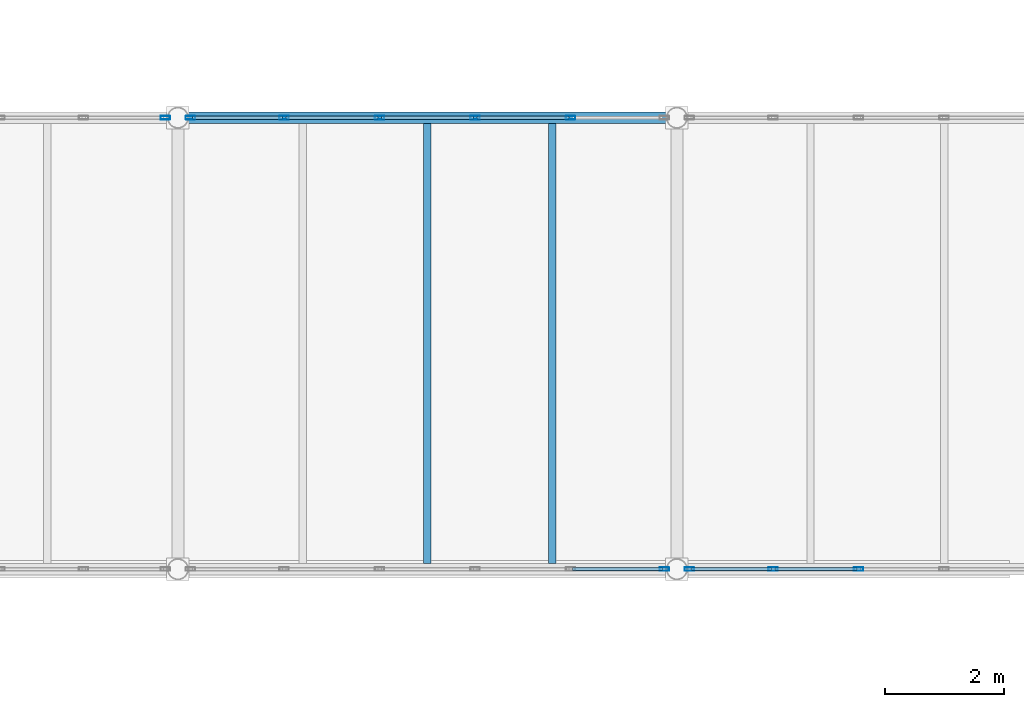
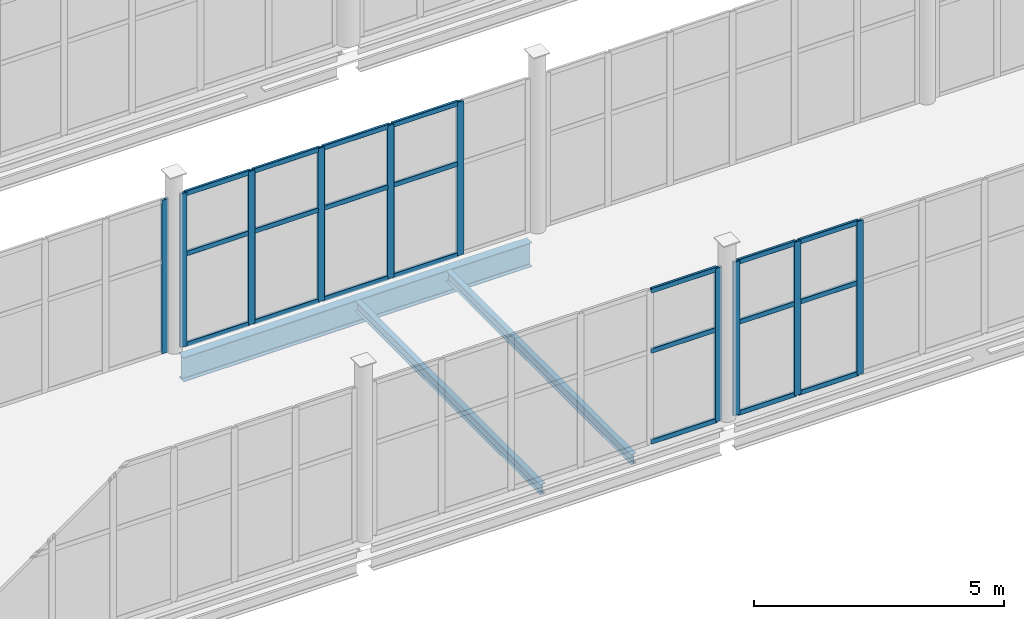
# One storey, part 57 of 172: 31 members, 3 beams, 4 elements without a shape of their own.
"""IFC4 building model written with IfcOpenShell, lengths in metres."""

from ifc_helpers import new_model, si_unit, direction, frame, origin, origin_2d, place, context, subcontext, project, spatial, hollow_rectangle, i_section, extrude, material, material_profile, profile_set, type_object, element, aggregate, save


model = new_model("IFC4")

# Units and contexts
model_context = context("Model", 3, precision=1e-05, world=origin(), true_north=direction((0.0, 1.0)))
body_context = subcontext(model_context, "Body", "Model", "MODEL_VIEW")
ifc_project = project(units=[si_unit("LENGTHUNIT", "METRE"), si_unit("AREAUNIT", "SQUARE_METRE"), si_unit("VOLUMEUNIT", "CUBIC_METRE"), si_unit("PLANEANGLEUNIT", "RADIAN"), si_unit("MASSUNIT", "GRAM", prefix="KILO")], contexts=[model_context])

# Site, building, storey
site_placement = place(None, origin())
site = spatial("IfcSite", under=ifc_project, at=site_placement, CompositionType="ELEMENT")
building_placement = place(site_placement, origin())
building = spatial("IfcBuilding", under=site, at=building_placement, Name="Shengluoqiao Park Theatre", CompositionType="ELEMENT")
storey_placement = place(building_placement, frame((0.0, 0.0, 5.39990234375)))
storey = spatial("IfcBuildingStorey", under=building, at=storey_placement, Name="L01", CompositionType="ELEMENT", Elevation=5.39990234375)

# Curtain wall, member
ifc_material_1 = material(Name="Aluminium 6063-T6", Category="aluminium")
curtain_wall_type = type_object("IfcCurtainWallType", Name="ENV-CW-BRIDGE", PredefinedType="NOTDEFINED", material=ifc_material_1)
curtain_wall_1_placement = place(storey_placement, origin())
curtain_wall_1 = element("IfcCurtainWall", 1, at=curtain_wall_1_placement, inside=storey, type_object=curtain_wall_type, Name="L01 Curtain Wall CWX-L01-0130", PredefinedType="NOTDEFINED")
ifc_material_profile_1 = material_profile(ifc_material_1, hollow_rectangle(XDim=0.06005859375, YDim=0.159912109375, WallThickness=0.00390625, InnerFilletRadius=0.00390625, OuterFilletRadius=0.008056640625, at=origin_2d()), Name="ALU MULLION 160x60x4")
ifc_profile_set_1 = profile_set([ifc_material_profile_1], Name="Aluminium 6063-T6")
member_type_1 = type_object("IfcMemberType", Name="ENV-MUL-160", PredefinedType="MULLION", material=ifc_profile_set_1)
member_1_placement = place(storey_placement, frame((112.18798828125, 53.199951171875, 0.0), z_axis=(0.0, 0.0, 1.0), x_axis=(0.0, 1.0, 0.0)))
member_1 = element("IfcMember", 2, at=member_1_placement, type_object=member_type_1, Name="CW-03 mullion 6", PredefinedType="MULLION", context=body_context, shape_type="SweptSolid", body=[
    extrude(hollow_rectangle(XDim=0.06005859375, YDim=0.159912109375, WallThickness=0.00390625, InnerFilletRadius=0.00390625, OuterFilletRadius=0.008056640625, at=origin_2d()), origin(), (0.0, 0.0, 1.0), 3.752197265625),
])

# Curtain wall, members
curtain_wall_2_placement = place(storey_placement, origin())
curtain_wall_2 = element("IfcCurtainWall", 3, at=curtain_wall_2_placement, inside=storey, type_object=curtain_wall_type, Name="L01 Curtain Wall CWX-L01-0131", PredefinedType="NOTDEFINED")
member_2_placement = place(storey_placement, frame((112.612060546875, 53.199951171875, 0.0), z_axis=(0.0, 0.0, 1.0), x_axis=(0.0, 1.0, 0.0)))
member_2 = element("IfcMember", 4, at=member_2_placement, type_object=member_type_1, Name="CW-03 mullion 1", PredefinedType="MULLION", context=body_context, shape_type="SweptSolid", body=[
    extrude(hollow_rectangle(XDim=0.06005859375, YDim=0.159912109375, WallThickness=0.00390625, InnerFilletRadius=0.00390625, OuterFilletRadius=0.008056640625, at=origin_2d()), origin(), (0.0, 0.0, 1.0), 3.752197265625),
])
member_3_placement = place(storey_placement, frame((114.021240234375, 53.199951171875, 0.0), z_axis=(0.0, 0.0, 1.0), x_axis=(0.0, 1.0, 0.0)))
member_3 = element("IfcMember", 5, at=member_3_placement, type_object=member_type_1, Name="CW-03 mullion 2", PredefinedType="MULLION", context=body_context, shape_type="SweptSolid", body=[
    extrude(hollow_rectangle(XDim=0.06005859375, YDim=0.159912109375, WallThickness=0.00390625, InnerFilletRadius=0.00390625, OuterFilletRadius=0.008056640625, at=origin_2d()), origin(), (0.0, 0.0, 1.0), 3.752197265625),
])
member_4_placement = place(storey_placement, frame((115.460693359375, 53.199951171875, 0.0), z_axis=(0.0, 0.0, 1.0), x_axis=(0.0, 1.0, 0.0)))
member_4 = element("IfcMember", 6, at=member_4_placement, type_object=member_type_1, Name="CW-03 mullion 3", PredefinedType="MULLION", context=body_context, shape_type="SweptSolid", body=[
    extrude(hollow_rectangle(XDim=0.06005859375, YDim=0.159912109375, WallThickness=0.00390625, InnerFilletRadius=0.00390625, OuterFilletRadius=0.008056640625, at=origin_2d()), origin(), (0.0, 0.0, 1.0), 3.752197265625),
])

# Curtain wall, member
curtain_wall_3_placement = place(storey_placement, origin())
curtain_wall_3 = element("IfcCurtainWall", 7, at=curtain_wall_3_placement, inside=storey, type_object=curtain_wall_type, Name="L01 Curtain Wall CWX-L01-0142", PredefinedType="NOTDEFINED")
member_5_placement = place(storey_placement, frame((103.7880859375, 60.800048828125, 0.0), z_axis=(0.0, 0.0, 1.0), x_axis=(0.0, 1.0, 0.0)))
member_5 = element("IfcMember", 8, at=member_5_placement, type_object=member_type_1, Name="CW-03 mullion 7", PredefinedType="MULLION", context=body_context, shape_type="SweptSolid", body=[
    extrude(hollow_rectangle(XDim=0.06005859375, YDim=0.159912109375, WallThickness=0.00390625, InnerFilletRadius=0.00390625, OuterFilletRadius=0.008056640625, at=origin_2d()), origin(), (0.0, 0.0, 1.0), 3.752197265625),
])
aggregate(curtain_wall_3, [member_5])

# Curtain wall, members
curtain_wall_4_placement = place(storey_placement, origin())
curtain_wall_4 = element("IfcCurtainWall", 9, at=curtain_wall_4_placement, inside=storey, type_object=curtain_wall_type, Name="L01 Curtain Wall CWX-L01-0143", PredefinedType="NOTDEFINED")
member_6_placement = place(storey_placement, frame((104.2119140625, 60.800048828125, 0.0), z_axis=(0.0, 0.0, 1.0), x_axis=(0.0, 1.0, 0.0)))
member_6 = element("IfcMember", 10, at=member_6_placement, type_object=member_type_1, Name="CW-03 mullion 1", PredefinedType="MULLION", context=body_context, shape_type="SweptSolid", body=[
    extrude(hollow_rectangle(XDim=0.06005859375, YDim=0.159912109375, WallThickness=0.00390625, InnerFilletRadius=0.00390625, OuterFilletRadius=0.008056640625, at=origin_2d()), origin(), (0.0, 0.0, 1.0), 3.752197265625),
])
member_7_placement = place(storey_placement, frame((105.789306640625, 60.800048828125, 0.0), z_axis=(0.0, 0.0, 1.0), x_axis=(0.0, 1.0, 0.0)))
member_7 = element("IfcMember", 11, at=member_7_placement, type_object=member_type_1, Name="CW-03 mullion 2", PredefinedType="MULLION", context=body_context, shape_type="SweptSolid", body=[
    extrude(hollow_rectangle(XDim=0.06005859375, YDim=0.159912109375, WallThickness=0.00390625, InnerFilletRadius=0.00390625, OuterFilletRadius=0.008056640625, at=origin_2d()), origin(), (0.0, 0.0, 1.0), 3.752197265625),
])
member_8_placement = place(storey_placement, frame((107.396484375, 60.800048828125, 0.0), z_axis=(0.0, 0.0, 1.0), x_axis=(0.0, 1.0, 0.0)))
member_8 = element("IfcMember", 12, at=member_8_placement, type_object=member_type_1, Name="CW-03 mullion 3", PredefinedType="MULLION", context=body_context, shape_type="SweptSolid", body=[
    extrude(hollow_rectangle(XDim=0.06005859375, YDim=0.159912109375, WallThickness=0.00390625, InnerFilletRadius=0.00390625, OuterFilletRadius=0.008056640625, at=origin_2d()), origin(), (0.0, 0.0, 1.0), 3.752197265625),
])
member_9_placement = place(storey_placement, frame((109.003662109375, 60.800048828125, 0.0), z_axis=(0.0, 0.0, 1.0), x_axis=(0.0, 1.0, 0.0)))
member_9 = element("IfcMember", 13, at=member_9_placement, type_object=member_type_1, Name="CW-03 mullion 4", PredefinedType="MULLION", context=body_context, shape_type="SweptSolid", body=[
    extrude(hollow_rectangle(XDim=0.06005859375, YDim=0.159912109375, WallThickness=0.00390625, InnerFilletRadius=0.00390625, OuterFilletRadius=0.008056640625, at=origin_2d()), origin(), (0.0, 0.0, 1.0), 3.752197265625),
])
member_10_placement = place(storey_placement, frame((110.61083984375, 60.800048828125, 0.0), z_axis=(0.0, 0.0, 1.0), x_axis=(0.0, 1.0, 0.0)))
member_10 = element("IfcMember", 14, at=member_10_placement, type_object=member_type_1, Name="CW-03 mullion 5", PredefinedType="MULLION", context=body_context, shape_type="SweptSolid", body=[
    extrude(hollow_rectangle(XDim=0.06005859375, YDim=0.159912109375, WallThickness=0.00390625, InnerFilletRadius=0.00390625, OuterFilletRadius=0.008056640625, at=origin_2d()), origin(), (0.0, 0.0, 1.0), 3.752197265625),
])

# Member
ifc_material_profile_2 = material_profile(ifc_material_1, hollow_rectangle(XDim=0.06005859375, YDim=0.1201171875, WallThickness=0.00390625, InnerFilletRadius=0.00390625, OuterFilletRadius=0.008056640625, at=origin_2d()), Name="ALU TRANSOM 120x60x4")
ifc_profile_set_2 = profile_set([ifc_material_profile_2], Name="Aluminium 6063-T6")
member_type_2 = type_object("IfcMemberType", Name="ENV-TRN-120", PredefinedType="USERDEFINED", material=ifc_profile_set_2)
member_11_placement = place(storey_placement, frame((110.640869140625, 53.199951171875, 0.030029296875), z_axis=(1.0, 0.0, 0.0), x_axis=(0.0, 1.0, 0.0)))
member_11 = element("IfcMember", 15, at=member_11_placement, type_object=member_type_2, Name="CW-03 transom 5.1", ObjectType="TRANSOM", PredefinedType="USERDEFINED", context=body_context, shape_type="SweptSolid", body=[
    extrude(hollow_rectangle(XDim=0.06005859375, YDim=0.1201171875, WallThickness=0.00390625, InnerFilletRadius=0.00390625, OuterFilletRadius=0.008056640625, at=origin_2d()), origin(), (0.0, 0.0, 1.0), 1.51708984375),
])

member_12_placement = place(storey_placement, frame((110.640869140625, 53.199951171875, 2.2509765625), z_axis=(1.0, 0.0, 0.0), x_axis=(0.0, 1.0, 0.0)))
member_12 = element("IfcMember", 16, at=member_12_placement, type_object=member_type_2, Name="CW-03 transom 5.2", ObjectType="TRANSOM", PredefinedType="USERDEFINED", context=body_context, shape_type="SweptSolid", body=[
    extrude(hollow_rectangle(XDim=0.06005859375, YDim=0.1201171875, WallThickness=0.00390625, InnerFilletRadius=0.00390625, OuterFilletRadius=0.008056640625, at=origin_2d()), origin(), (0.0, 0.0, 1.0), 1.51708984375),
])

member_13_placement = place(storey_placement, frame((110.640869140625, 53.199951171875, 3.72216796875), z_axis=(1.0, 0.0, 0.0), x_axis=(0.0, 1.0, 0.0)))
member_13 = element("IfcMember", 17, at=member_13_placement, type_object=member_type_2, Name="CW-03 transom 5.3", ObjectType="TRANSOM", PredefinedType="USERDEFINED", context=body_context, shape_type="SweptSolid", body=[
    extrude(hollow_rectangle(XDim=0.06005859375, YDim=0.1201171875, WallThickness=0.00390625, InnerFilletRadius=0.00390625, OuterFilletRadius=0.008056640625, at=origin_2d()), origin(), (0.0, 0.0, 1.0), 1.51708984375),
])

aggregate(curtain_wall_1, [member_1, member_11, member_12, member_13])

member_14_placement = place(storey_placement, frame((112.64208984375, 53.199951171875, 0.030029296875), z_axis=(1.0, 0.0, 0.0), x_axis=(0.0, 1.0, 0.0)))
member_14 = element("IfcMember", 18, at=member_14_placement, type_object=member_type_2, Name="CW-03 transom 1.1", ObjectType="TRANSOM", PredefinedType="USERDEFINED", context=body_context, shape_type="SweptSolid", body=[
    extrude(hollow_rectangle(XDim=0.06005859375, YDim=0.1201171875, WallThickness=0.00390625, InnerFilletRadius=0.00390625, OuterFilletRadius=0.008056640625, at=origin_2d()), origin(), (0.0, 0.0, 1.0), 1.349365234375),
])

member_15_placement = place(storey_placement, frame((112.64208984375, 53.199951171875, 2.2509765625), z_axis=(1.0, 0.0, 0.0), x_axis=(0.0, 1.0, 0.0)))
member_15 = element("IfcMember", 19, at=member_15_placement, type_object=member_type_2, Name="CW-03 transom 1.2", ObjectType="TRANSOM", PredefinedType="USERDEFINED", context=body_context, shape_type="SweptSolid", body=[
    extrude(hollow_rectangle(XDim=0.06005859375, YDim=0.1201171875, WallThickness=0.00390625, InnerFilletRadius=0.00390625, OuterFilletRadius=0.008056640625, at=origin_2d()), origin(), (0.0, 0.0, 1.0), 1.349365234375),
])

member_16_placement = place(storey_placement, frame((112.64208984375, 53.199951171875, 3.72216796875), z_axis=(1.0, 0.0, 0.0), x_axis=(0.0, 1.0, 0.0)))
member_16 = element("IfcMember", 20, at=member_16_placement, type_object=member_type_2, Name="CW-03 transom 1.3", ObjectType="TRANSOM", PredefinedType="USERDEFINED", context=body_context, shape_type="SweptSolid", body=[
    extrude(hollow_rectangle(XDim=0.06005859375, YDim=0.1201171875, WallThickness=0.00390625, InnerFilletRadius=0.00390625, OuterFilletRadius=0.008056640625, at=origin_2d()), origin(), (0.0, 0.0, 1.0), 1.349365234375),
])

member_17_placement = place(storey_placement, frame((114.05126953125, 53.199951171875, 0.030029296875), z_axis=(1.0, 0.0, 0.0), x_axis=(0.0, 1.0, 0.0)))
member_17 = element("IfcMember", 21, at=member_17_placement, type_object=member_type_2, Name="CW-03 transom 2.1", ObjectType="TRANSOM", PredefinedType="USERDEFINED", context=body_context, shape_type="SweptSolid", body=[
    extrude(hollow_rectangle(XDim=0.06005859375, YDim=0.1201171875, WallThickness=0.00390625, InnerFilletRadius=0.00390625, OuterFilletRadius=0.008056640625, at=origin_2d()), origin(), (0.0, 0.0, 1.0), 1.37939453125),
])

member_18_placement = place(storey_placement, frame((114.05126953125, 53.199951171875, 2.2509765625), z_axis=(1.0, 0.0, 0.0), x_axis=(0.0, 1.0, 0.0)))
member_18 = element("IfcMember", 22, at=member_18_placement, type_object=member_type_2, Name="CW-03 transom 2.2", ObjectType="TRANSOM", PredefinedType="USERDEFINED", context=body_context, shape_type="SweptSolid", body=[
    extrude(hollow_rectangle(XDim=0.06005859375, YDim=0.1201171875, WallThickness=0.00390625, InnerFilletRadius=0.00390625, OuterFilletRadius=0.008056640625, at=origin_2d()), origin(), (0.0, 0.0, 1.0), 1.37939453125),
])

member_19_placement = place(storey_placement, frame((114.05126953125, 53.199951171875, 3.72216796875), z_axis=(1.0, 0.0, 0.0), x_axis=(0.0, 1.0, 0.0)))
member_19 = element("IfcMember", 23, at=member_19_placement, type_object=member_type_2, Name="CW-03 transom 2.3", ObjectType="TRANSOM", PredefinedType="USERDEFINED", context=body_context, shape_type="SweptSolid", body=[
    extrude(hollow_rectangle(XDim=0.06005859375, YDim=0.1201171875, WallThickness=0.00390625, InnerFilletRadius=0.00390625, OuterFilletRadius=0.008056640625, at=origin_2d()), origin(), (0.0, 0.0, 1.0), 1.37939453125),
])

aggregate(curtain_wall_2, [member_2, member_3, member_4, member_14, member_15, member_16, member_17, member_18, member_19])

member_20_placement = place(storey_placement, frame((104.241943359375, 60.800048828125, 0.030029296875), z_axis=(1.0, 0.0, 0.0), x_axis=(0.0, 1.0, 0.0)))
member_20 = element("IfcMember", 24, at=member_20_placement, type_object=member_type_2, Name="CW-03 transom 1.1", ObjectType="TRANSOM", PredefinedType="USERDEFINED", context=body_context, shape_type="SweptSolid", body=[
    extrude(hollow_rectangle(XDim=0.06005859375, YDim=0.1201171875, WallThickness=0.00390625, InnerFilletRadius=0.00390625, OuterFilletRadius=0.008056640625, at=origin_2d()), origin(), (0.0, 0.0, 1.0), 1.517333984375),
])

member_21_placement = place(storey_placement, frame((104.241943359375, 60.800048828125, 2.2509765625), z_axis=(1.0, 0.0, 0.0), x_axis=(0.0, 1.0, 0.0)))
member_21 = element("IfcMember", 25, at=member_21_placement, type_object=member_type_2, Name="CW-03 transom 1.2", ObjectType="TRANSOM", PredefinedType="USERDEFINED", context=body_context, shape_type="SweptSolid", body=[
    extrude(hollow_rectangle(XDim=0.06005859375, YDim=0.1201171875, WallThickness=0.00390625, InnerFilletRadius=0.00390625, OuterFilletRadius=0.008056640625, at=origin_2d()), origin(), (0.0, 0.0, 1.0), 1.517333984375),
])

member_22_placement = place(storey_placement, frame((104.241943359375, 60.800048828125, 3.72216796875), z_axis=(1.0, 0.0, 0.0), x_axis=(0.0, 1.0, 0.0)))
member_22 = element("IfcMember", 26, at=member_22_placement, type_object=member_type_2, Name="CW-03 transom 1.3", ObjectType="TRANSOM", PredefinedType="USERDEFINED", context=body_context, shape_type="SweptSolid", body=[
    extrude(hollow_rectangle(XDim=0.06005859375, YDim=0.1201171875, WallThickness=0.00390625, InnerFilletRadius=0.00390625, OuterFilletRadius=0.008056640625, at=origin_2d()), origin(), (0.0, 0.0, 1.0), 1.517333984375),
])

member_23_placement = place(storey_placement, frame((105.819091796875, 60.800048828125, 0.030029296875), z_axis=(1.0, 0.0, 0.0), x_axis=(0.0, 1.0, 0.0)))
member_23 = element("IfcMember", 27, at=member_23_placement, type_object=member_type_2, Name="CW-03 transom 2.1", ObjectType="TRANSOM", PredefinedType="USERDEFINED", context=body_context, shape_type="SweptSolid", body=[
    extrude(hollow_rectangle(XDim=0.06005859375, YDim=0.1201171875, WallThickness=0.00390625, InnerFilletRadius=0.00390625, OuterFilletRadius=0.008056640625, at=origin_2d()), origin(), (0.0, 0.0, 1.0), 1.54736328125),
])

member_24_placement = place(storey_placement, frame((105.819091796875, 60.800048828125, 2.2509765625), z_axis=(1.0, 0.0, 0.0), x_axis=(0.0, 1.0, 0.0)))
member_24 = element("IfcMember", 28, at=member_24_placement, type_object=member_type_2, Name="CW-03 transom 2.2", ObjectType="TRANSOM", PredefinedType="USERDEFINED", context=body_context, shape_type="SweptSolid", body=[
    extrude(hollow_rectangle(XDim=0.06005859375, YDim=0.1201171875, WallThickness=0.00390625, InnerFilletRadius=0.00390625, OuterFilletRadius=0.008056640625, at=origin_2d()), origin(), (0.0, 0.0, 1.0), 1.54736328125),
])

member_25_placement = place(storey_placement, frame((105.819091796875, 60.800048828125, 3.72216796875), z_axis=(1.0, 0.0, 0.0), x_axis=(0.0, 1.0, 0.0)))
member_25 = element("IfcMember", 29, at=member_25_placement, type_object=member_type_2, Name="CW-03 transom 2.3", ObjectType="TRANSOM", PredefinedType="USERDEFINED", context=body_context, shape_type="SweptSolid", body=[
    extrude(hollow_rectangle(XDim=0.06005859375, YDim=0.1201171875, WallThickness=0.00390625, InnerFilletRadius=0.00390625, OuterFilletRadius=0.008056640625, at=origin_2d()), origin(), (0.0, 0.0, 1.0), 1.54736328125),
])

member_26_placement = place(storey_placement, frame((107.426513671875, 60.800048828125, 0.030029296875), z_axis=(1.0, 0.0, 0.0), x_axis=(0.0, 1.0, 0.0)))
member_26 = element("IfcMember", 30, at=member_26_placement, type_object=member_type_2, Name="CW-03 transom 3.1", ObjectType="TRANSOM", PredefinedType="USERDEFINED", context=body_context, shape_type="SweptSolid", body=[
    extrude(hollow_rectangle(XDim=0.06005859375, YDim=0.1201171875, WallThickness=0.00390625, InnerFilletRadius=0.00390625, OuterFilletRadius=0.008056640625, at=origin_2d()), origin(), (0.0, 0.0, 1.0), 1.547119140625),
])

member_27_placement = place(storey_placement, frame((107.426513671875, 60.800048828125, 2.2509765625), z_axis=(1.0, 0.0, 0.0), x_axis=(0.0, 1.0, 0.0)))
member_27 = element("IfcMember", 31, at=member_27_placement, type_object=member_type_2, Name="CW-03 transom 3.2", ObjectType="TRANSOM", PredefinedType="USERDEFINED", context=body_context, shape_type="SweptSolid", body=[
    extrude(hollow_rectangle(XDim=0.06005859375, YDim=0.1201171875, WallThickness=0.00390625, InnerFilletRadius=0.00390625, OuterFilletRadius=0.008056640625, at=origin_2d()), origin(), (0.0, 0.0, 1.0), 1.547119140625),
])

member_28_placement = place(storey_placement, frame((107.426513671875, 60.800048828125, 3.72216796875), z_axis=(1.0, 0.0, 0.0), x_axis=(0.0, 1.0, 0.0)))
member_28 = element("IfcMember", 32, at=member_28_placement, type_object=member_type_2, Name="CW-03 transom 3.3", ObjectType="TRANSOM", PredefinedType="USERDEFINED", context=body_context, shape_type="SweptSolid", body=[
    extrude(hollow_rectangle(XDim=0.06005859375, YDim=0.1201171875, WallThickness=0.00390625, InnerFilletRadius=0.00390625, OuterFilletRadius=0.008056640625, at=origin_2d()), origin(), (0.0, 0.0, 1.0), 1.547119140625),
])

member_29_placement = place(storey_placement, frame((109.03369140625, 60.800048828125, 0.030029296875), z_axis=(1.0, 0.0, 0.0), x_axis=(0.0, 1.0, 0.0)))
member_29 = element("IfcMember", 33, at=member_29_placement, type_object=member_type_2, Name="CW-03 transom 4.1", ObjectType="TRANSOM", PredefinedType="USERDEFINED", context=body_context, shape_type="SweptSolid", body=[
    extrude(hollow_rectangle(XDim=0.06005859375, YDim=0.1201171875, WallThickness=0.00390625, InnerFilletRadius=0.00390625, OuterFilletRadius=0.008056640625, at=origin_2d()), origin(), (0.0, 0.0, 1.0), 1.547119140625),
])

member_30_placement = place(storey_placement, frame((109.03369140625, 60.800048828125, 2.2509765625), z_axis=(1.0, 0.0, 0.0), x_axis=(0.0, 1.0, 0.0)))
member_30 = element("IfcMember", 34, at=member_30_placement, type_object=member_type_2, Name="CW-03 transom 4.2", ObjectType="TRANSOM", PredefinedType="USERDEFINED", context=body_context, shape_type="SweptSolid", body=[
    extrude(hollow_rectangle(XDim=0.06005859375, YDim=0.1201171875, WallThickness=0.00390625, InnerFilletRadius=0.00390625, OuterFilletRadius=0.008056640625, at=origin_2d()), origin(), (0.0, 0.0, 1.0), 1.547119140625),
])

member_31_placement = place(storey_placement, frame((109.03369140625, 60.800048828125, 3.72216796875), z_axis=(1.0, 0.0, 0.0), x_axis=(0.0, 1.0, 0.0)))
member_31 = element("IfcMember", 35, at=member_31_placement, type_object=member_type_2, Name="CW-03 transom 4.3", ObjectType="TRANSOM", PredefinedType="USERDEFINED", context=body_context, shape_type="SweptSolid", body=[
    extrude(hollow_rectangle(XDim=0.06005859375, YDim=0.1201171875, WallThickness=0.00390625, InnerFilletRadius=0.00390625, OuterFilletRadius=0.008056640625, at=origin_2d()), origin(), (0.0, 0.0, 1.0), 1.547119140625),
])

aggregate(curtain_wall_4, [member_6, member_7, member_8, member_9, member_10, member_20, member_21, member_22, member_23, member_24, member_25, member_26, member_27, member_28, member_29, member_30, member_31])

# Beams
ifc_material_2 = material(Name="Steel Q355", Category="steel")
ifc_material_profile_3 = material_profile(ifc_material_2, i_section(OverallWidth=0.125, OverallDepth=0.25, WebThickness=0.006103515625, FlangeThickness=0.009033203125, FilletRadius=0.010009765625, at=origin_2d()), Name="HN 250x125x6x9")
ifc_profile_set_3 = profile_set([ifc_material_profile_3], Name="Steel Q355")
beam_type_1 = type_object("IfcBeamType", Name="STR-BM-J-HN250", PredefinedType="JOIST", material=ifc_profile_set_3)
for number, where, z_axis, x_axis, name in (
    (36, (108.199951171875, 53.29443359375, -0.3349609375), (0.0, 1.0, 0.0), (-1.0, 0.0, 0.0), "L01 Composite Joist 00620"),
    (37, (110.300048828125, 53.29443359375, -0.3349609375), (0.0, 1.0, 0.0), (-1.0, 0.0, 0.0), "L01 Composite Joist 00621"),
):
    element("IfcBeam", number, at=place(storey_placement, frame(where, z_axis=z_axis, x_axis=x_axis)), inside=storey, type_object=beam_type_1, Name=name, PredefinedType="JOIST", context=body_context, shape_type="SweptSolid", body=[
        extrude(i_section(OverallWidth=0.125, OverallDepth=0.25, WebThickness=0.006103515625, FlangeThickness=0.009033203125, FilletRadius=0.010009765625, at=origin_2d()), origin(), (0.0, 0.0, 1.0), 7.4111328125),
    ])
ifc_material_profile_4 = material_profile(ifc_material_2, i_section(OverallWidth=0.198974609375, OverallDepth=0.595947265625, WebThickness=0.010009765625, FlangeThickness=0.014892578125, FilletRadius=0.02001953125, at=origin_2d()), Name="HN 596x199x10x15")
ifc_profile_set_4 = profile_set([ifc_material_profile_4], Name="Steel Q355")
beam_type_2 = type_object("IfcBeamType", Name="STR-BM-SP-HN596", PredefinedType="SPANDREL", material=ifc_profile_set_4)
beam_placement = place(storey_placement, frame((104.172119140625, 60.800048828125, -0.5078125), z_axis=(1.0, 0.0, 0.0), x_axis=(0.0, 1.0, 0.0)))
element("IfcBeam", 38, at=beam_placement, inside=storey, type_object=beam_type_2, Name="L01 Primary Girder 00581", PredefinedType="SPANDREL", context=body_context, shape_type="SweptSolid", body=[
    extrude(i_section(OverallWidth=0.198974609375, OverallDepth=0.595947265625, WebThickness=0.010009765625, FlangeThickness=0.014892578125, FilletRadius=0.02001953125, at=origin_2d()), origin(), (0.0, 0.0, 1.0), 8.055908203125),
])

save(model, "model.ifc")
